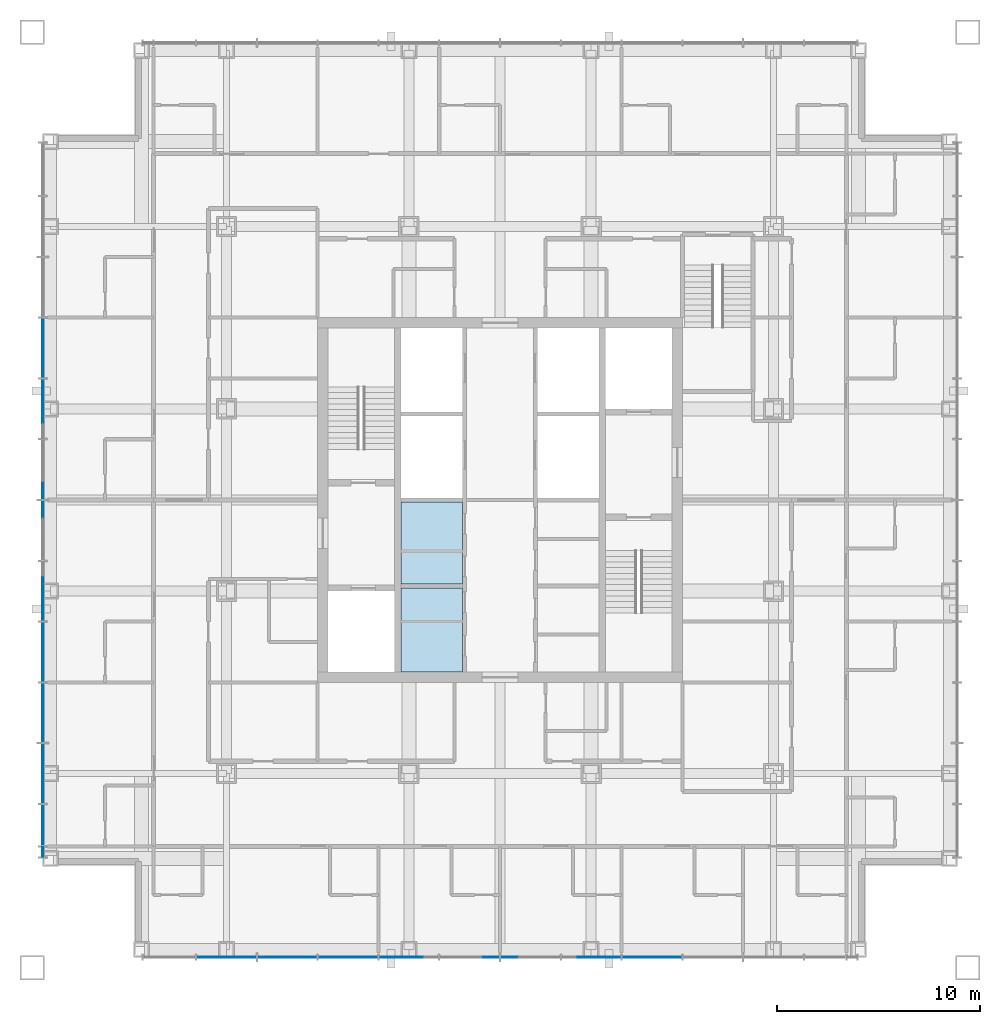
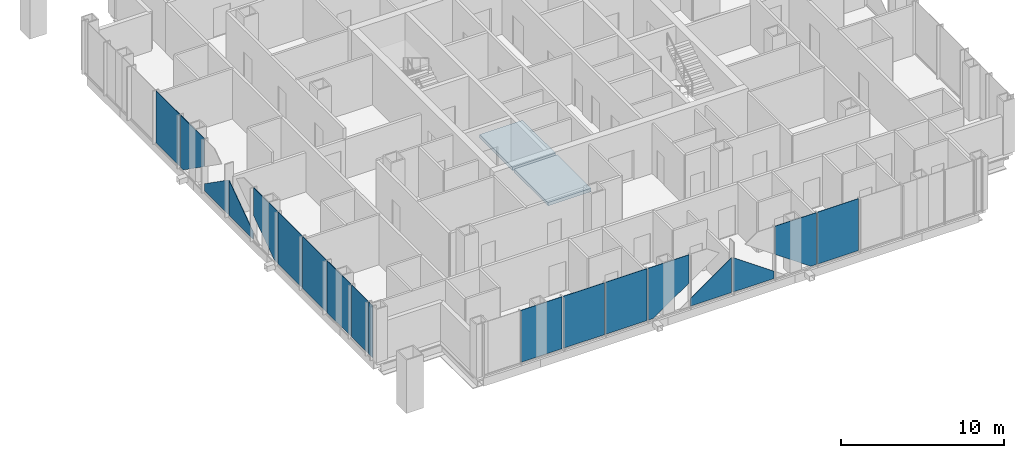
# One storey, part 7 of 17: 18 plates, 2 slabs, 2 elements without a shape of their own.
"""IFC4 building model written with IfcOpenShell, lengths in metres."""

from ifc_helpers import new_model, si_unit, direction, frame, origin, origin_2d, place, context, subcontext, project, spatial, polyline, rectangle, outline, extrude, material, layer, layer_set, type_object, element, aggregate, save


model = new_model("IFC4")

# Units and contexts
model_context = context("Model", 3, precision=1e-05, world=origin(), true_north=direction((0.0, 1.0)))
body_context = subcontext(model_context, "Body", "Model", "MODEL_VIEW")
ifc_project = project(units=[si_unit("LENGTHUNIT", "METRE"), si_unit("AREAUNIT", "SQUARE_METRE"), si_unit("VOLUMEUNIT", "CUBIC_METRE"), si_unit("PLANEANGLEUNIT", "RADIAN"), si_unit("MASSUNIT", "GRAM", prefix="KILO")], contexts=[model_context])

# Site, building, storey
site_placement = place(None, origin())
site = spatial("IfcSite", under=ifc_project, at=site_placement, CompositionType="ELEMENT")
building_placement = place(site_placement, origin())
building = spatial("IfcBuilding", under=site, at=building_placement, Name="Malebo Sky Hospital", CompositionType="ELEMENT")
storey_placement = place(building_placement, frame((0.0, 0.0, 189.0)))
storey = spatial("IfcBuildingStorey", under=building, at=storey_placement, Name="L45", CompositionType="ELEMENT", Elevation=189.0)

# Slabs
ifc_material_1 = material(Name="Concrete C40/50", Category="concrete")
ifc_layer_1 = layer(ifc_material_1, 0.25)
ifc_layer_set_1 = layer_set([ifc_layer_1], Name="SHAFT INFILL SLAB 250")
slab_type = type_object("IfcSlabType", Name="SHAFT INFILL SLAB 250", PredefinedType="FLOOR", material=ifc_layer_set_1)
slab_1_placement = place(storey_placement, frame((0.0, 0.0, -0.25)))
element("IfcSlab", 1, at=slab_1_placement, inside=storey, type_object=slab_type, Name="Shaft infill slab W1 L45", PredefinedType="FLOOR", context=body_context, shape_type="SweptSolid", body=[
    extrude(outline(polyline([(55.10009765625, 53.5), (58.14990234375, 53.5), (58.14990234375, 57.64990234375), (55.10009765625, 57.64990234375), (55.10009765625, 53.5)])), origin(), (0.0, 0.0, 1.0), 0.25),
])
slab_2_placement = place(storey_placement, frame((0.0, 0.0, -0.25)))
element("IfcSlab", 2, at=slab_2_placement, inside=storey, type_object=slab_type, Name="Shaft infill slab W2 L45", PredefinedType="FLOOR", context=body_context, shape_type="SweptSolid", body=[
    extrude(outline(polyline([(55.10009765625, 57.85009765625), (58.14990234375, 57.85009765625), (58.14990234375, 61.89990234375), (55.10009765625, 61.89990234375), (55.10009765625, 57.85009765625)])), origin(), (0.0, 0.0, 1.0), 0.25),
])

# Curtain wall, plates
ifc_material_2 = material(Name="Anodised aluminium, natural silver", Category="aluminium")
ifc_layer_2 = layer(ifc_material_2, 0.25)
ifc_layer_set_2 = layer_set([ifc_layer_2], Name="WARD CURTAIN WALL EAST AND WEST")
curtain_wall_type_1 = type_object("IfcCurtainWallType", Name="WARD CURTAIN WALL EAST AND WEST", PredefinedType="NOTDEFINED", material=ifc_layer_set_2)
curtain_wall_1_placement = place(storey_placement, origin())
curtain_wall_1 = element("IfcCurtainWall", 3, at=curtain_wall_1_placement, inside=storey, type_object=curtain_wall_type_1, Name="EW curtain wall W", PredefinedType="NOTDEFINED")
ifc_material_3 = material(Name="Clear low-iron double glazing", Category="glass")
ifc_layer_3 = layer(ifc_material_3, 0.031982421875)
ifc_layer_set_3 = layer_set([ifc_layer_3], Name="VISION PANEL CLEAR 32")
plate_type = type_object("IfcPlateType", Name="VISION PANEL CLEAR 32", PredefinedType="CURTAIN_PANEL", material=ifc_layer_set_3)
plate_1_placement = place(storey_placement, frame((37.425048828125, 44.61865234375, 0.10009765625), z_axis=(0.0, 0.0, 1.0), x_axis=(0.0, 1.0, 0.0)))
plate_1 = element("IfcPlate", 4, at=plate_1_placement, type_object=plate_type, Name="Panel 1", PredefinedType="CURTAIN_PANEL", context=body_context, shape_type="SweptSolid", body=[
    extrude(rectangle(XDim=0.487548828125, YDim=0.031982421875, at=origin_2d()), origin(), (0.0, 0.0, 1.0), 3.889892578125),
])
plate_2_placement = place(storey_placement, frame((37.425048828125, 45.949951171875, 0.10009765625), z_axis=(0.0, 0.0, 1.0), x_axis=(0.0, 1.0, 0.0)))
plate_2 = element("IfcPlate", 5, at=plate_2_placement, type_object=plate_type, Name="Panel 2", PredefinedType="CURTAIN_PANEL", context=body_context, shape_type="SweptSolid", body=[
    extrude(rectangle(XDim=2.02490234375, YDim=0.031982421875, at=origin_2d()), origin(), (0.0, 0.0, 1.0), 3.889892578125),
])
plate_3_placement = place(storey_placement, frame((37.425048828125, 48.5, 0.10009765625), z_axis=(0.0, 0.0, 1.0), x_axis=(0.0, 1.0, 0.0)))
plate_3 = element("IfcPlate", 6, at=plate_3_placement, type_object=plate_type, Name="Panel 3", PredefinedType="CURTAIN_PANEL", context=body_context, shape_type="SweptSolid", body=[
    extrude(rectangle(XDim=2.925048828125, YDim=0.031982421875, at=origin_2d()), origin(), (0.0, 0.0, 1.0), 3.889892578125),
])
plate_4_placement = place(storey_placement, frame((37.425048828125, 51.5, 0.10009765625), z_axis=(0.0, 0.0, 1.0), x_axis=(0.0, 1.0, 0.0)))
plate_4 = element("IfcPlate", 7, at=plate_4_placement, type_object=plate_type, Name="Panel 4", PredefinedType="CURTAIN_PANEL", context=body_context, shape_type="SweptSolid", body=[
    extrude(rectangle(XDim=2.925048828125, YDim=0.031982421875, at=origin_2d()), origin(), (0.0, 0.0, 1.0), 3.889892578125),
])
plate_5_placement = place(storey_placement, frame((37.425048828125, 54.5, 0.10009765625), z_axis=(0.0, 0.0, 1.0), x_axis=(0.0, 1.0, 0.0)))
plate_5 = element("IfcPlate", 8, at=plate_5_placement, type_object=plate_type, Name="Panel 5", PredefinedType="CURTAIN_PANEL", context=body_context, shape_type="SweptSolid", body=[
    extrude(rectangle(XDim=2.925048828125, YDim=0.031982421875, at=origin_2d()), origin(), (0.0, 0.0, 1.0), 3.889892578125),
])
plate_6_placement = place(storey_placement, frame((37.425048828125, 57.5, 0.10009765625), z_axis=(0.0, 0.0, 1.0), x_axis=(0.0, 1.0, 0.0)))
plate_6 = element("IfcPlate", 9, at=plate_6_placement, type_object=plate_type, Name="Panel 6", PredefinedType="CURTAIN_PANEL", context=body_context, shape_type="SweptSolid", body=[
    extrude(outline(polyline([(-1.46240234375, 0.0), (-1.076904296875, 0.0), (1.46240234375, 1.78369140625), (1.46240234375, 3.889892578125), (-1.46240234375, 3.889892578125), (-1.46240234375, 0.0)])), frame((0.0, 0.01611328125, 0.0), z_axis=(0.0, -1.0, 0.0), x_axis=(1.0, 0.0, 0.0)), (0.0, 0.0, 1.0), 0.031982421875),
])
plate_7_placement = place(storey_placement, frame((37.425048828125, 60.5, 0.10009765625), z_axis=(0.0, 0.0, 1.0), x_axis=(0.0, 1.0, 0.0)))
plate_7 = element("IfcPlate", 10, at=plate_7_placement, type_object=plate_type, Name="Panel 7", PredefinedType="CURTAIN_PANEL", context=body_context, shape_type="SweptSolid", body=[
    extrude(outline(polyline([(-1.46240234375, 0.0), (1.46240234375, 0.0), (1.46240234375, 2.6064453125), (-1.46240234375, 0.552001953125), (-1.46240234375, 0.0)])), frame((0.0, 0.01611328125, 0.0), z_axis=(0.0, -1.0, 0.0), x_axis=(1.0, 0.0, 0.0)), (0.0, 0.0, 1.0), 0.031982421875),
])
plate_8_placement = place(storey_placement, frame((37.425048828125, 63.5, 0.10009765625), z_axis=(0.0, 0.0, 1.0), x_axis=(0.0, 1.0, 0.0)))
plate_8 = element("IfcPlate", 11, at=plate_8_placement, type_object=plate_type, Name="Panel 8", PredefinedType="CURTAIN_PANEL", context=body_context, shape_type="SweptSolid", body=[
    extrude(outline(polyline([(-1.46240234375, 0.0), (1.46240234375, 0.0), (1.46240234375, 0.552001953125), (-1.46240234375, 2.6064453125), (-1.46240234375, 0.0)])), frame((0.0, 0.01611328125, 0.0), z_axis=(0.0, -1.0, 0.0), x_axis=(1.0, 0.0, 0.0)), (0.0, 0.0, 1.0), 0.031982421875),
])
plate_9_placement = place(storey_placement, frame((37.425048828125, 66.5, 0.10009765625), z_axis=(0.0, 0.0, 1.0), x_axis=(0.0, 1.0, 0.0)))
plate_9 = element("IfcPlate", 12, at=plate_9_placement, type_object=plate_type, Name="Panel 9", PredefinedType="CURTAIN_PANEL", context=body_context, shape_type="SweptSolid", body=[
    extrude(outline(polyline([(1.076904296875, 0.0), (1.46240234375, 0.0), (1.46240234375, 3.889892578125), (-1.46240234375, 3.889892578125), (-1.46240234375, 1.78369140625), (1.076904296875, 0.0)])), frame((0.0, 0.01611328125, 0.0), z_axis=(0.0, -1.0, 0.0), x_axis=(1.0, 0.0, 0.0)), (0.0, 0.0, 1.0), 0.031982421875),
])
plate_10_placement = place(storey_placement, frame((37.425048828125, 69.5, 0.10009765625), z_axis=(0.0, 0.0, 1.0), x_axis=(0.0, 1.0, 0.0)))
plate_10 = element("IfcPlate", 13, at=plate_10_placement, type_object=plate_type, Name="Panel 10", PredefinedType="CURTAIN_PANEL", context=body_context, shape_type="SweptSolid", body=[
    extrude(rectangle(XDim=2.925048828125, YDim=0.031982421875, at=origin_2d()), origin(), (0.0, 0.0, 1.0), 3.889892578125),
])
aggregate(curtain_wall_1, [plate_1, plate_2, plate_3, plate_4, plate_5, plate_6, plate_7, plate_8, plate_9, plate_10])

ifc_layer_4 = layer(ifc_material_2, 0.25)
ifc_layer_set_4 = layer_set([ifc_layer_4], Name="WARD CURTAIN WALL NORTH AND SOUTH")
curtain_wall_type_2 = type_object("IfcCurtainWallType", Name="WARD CURTAIN WALL NORTH AND SOUTH", PredefinedType="NOTDEFINED", material=ifc_layer_set_4)
curtain_wall_2_placement = place(storey_placement, origin())
curtain_wall_2 = element("IfcCurtainWall", 14, at=curtain_wall_2_placement, inside=storey, type_object=curtain_wall_type_2, Name="NS curtain wall S", PredefinedType="NOTDEFINED")
plate_11_placement = place(storey_placement, frame((67.5, 39.425048828125, 0.10009765625), z_axis=(0.0, 0.0, 1.0), x_axis=(-1.0, 0.0, 0.0)))
plate_11 = element("IfcPlate", 15, at=plate_11_placement, type_object=plate_type, Name="Panel 5", PredefinedType="CURTAIN_PANEL", context=body_context, shape_type="SweptSolid", body=[
    extrude(rectangle(XDim=2.925048828125, YDim=0.031982421875, at=origin_2d()), origin(), (0.0, 0.0, 1.0), 3.889892578125),
])
plate_12_placement = place(storey_placement, frame((64.5, 39.425048828125, 0.10009765625), z_axis=(0.0, 0.0, 1.0), x_axis=(-1.0, 0.0, 0.0)))
plate_12 = element("IfcPlate", 16, at=plate_12_placement, type_object=plate_type, Name="Panel 6", PredefinedType="CURTAIN_PANEL", context=body_context, shape_type="SweptSolid", body=[
    extrude(outline(polyline([(-1.46240234375, 0.0), (-1.076904296875, 0.0), (1.46240234375, 1.78369140625), (1.46240234375, 3.889892578125), (-1.46240234375, 3.889892578125), (-1.46240234375, 0.0)])), frame((0.0, 0.01611328125, 0.0), z_axis=(0.0, -1.0, 0.0), x_axis=(1.0, 0.0, 0.0)), (0.0, 0.0, 1.0), 0.031982421875),
])
plate_13_placement = place(storey_placement, frame((61.5, 39.425048828125, 0.10009765625), z_axis=(0.0, 0.0, 1.0), x_axis=(-1.0, 0.0, 0.0)))
plate_13 = element("IfcPlate", 17, at=plate_13_placement, type_object=plate_type, Name="Panel 7", PredefinedType="CURTAIN_PANEL", context=body_context, shape_type="SweptSolid", body=[
    extrude(outline(polyline([(-1.46240234375, 0.0), (1.46240234375, 0.0), (1.46240234375, 2.6064453125), (-1.46240234375, 0.552001953125), (-1.46240234375, 0.0)])), frame((0.0, 0.01611328125, 0.0), z_axis=(0.0, -1.0, 0.0), x_axis=(1.0, 0.0, 0.0)), (0.0, 0.0, 1.0), 0.031982421875),
])
plate_14_placement = place(storey_placement, frame((58.5, 39.425048828125, 0.10009765625), z_axis=(0.0, 0.0, 1.0), x_axis=(-1.0, 0.0, 0.0)))
plate_14 = element("IfcPlate", 18, at=plate_14_placement, type_object=plate_type, Name="Panel 8", PredefinedType="CURTAIN_PANEL", context=body_context, shape_type="SweptSolid", body=[
    extrude(outline(polyline([(-1.46240234375, 0.0), (1.46240234375, 0.0), (1.46240234375, 0.552001953125), (-1.46240234375, 2.6064453125), (-1.46240234375, 0.0)])), frame((0.0, 0.01611328125, 0.0), z_axis=(0.0, -1.0, 0.0), x_axis=(1.0, 0.0, 0.0)), (0.0, 0.0, 1.0), 0.031982421875),
])
plate_15_placement = place(storey_placement, frame((55.5, 39.425048828125, 0.10009765625), z_axis=(0.0, 0.0, 1.0), x_axis=(-1.0, 0.0, 0.0)))
plate_15 = element("IfcPlate", 19, at=plate_15_placement, type_object=plate_type, Name="Panel 9", PredefinedType="CURTAIN_PANEL", context=body_context, shape_type="SweptSolid", body=[
    extrude(outline(polyline([(1.076904296875, 0.0), (1.46240234375, 0.0), (1.46240234375, 3.889892578125), (-1.46240234375, 3.889892578125), (-1.46240234375, 1.78369140625), (1.076904296875, 0.0)])), frame((0.0, 0.01611328125, 0.0), z_axis=(0.0, -1.0, 0.0), x_axis=(1.0, 0.0, 0.0)), (0.0, 0.0, 1.0), 0.031982421875),
])
plate_16_placement = place(storey_placement, frame((52.5, 39.425048828125, 0.10009765625), z_axis=(0.0, 0.0, 1.0), x_axis=(-1.0, 0.0, 0.0)))
plate_16 = element("IfcPlate", 20, at=plate_16_placement, type_object=plate_type, Name="Panel 10", PredefinedType="CURTAIN_PANEL", context=body_context, shape_type="SweptSolid", body=[
    extrude(rectangle(XDim=2.925048828125, YDim=0.031982421875, at=origin_2d()), origin(), (0.0, 0.0, 1.0), 3.889892578125),
])
plate_17_placement = place(storey_placement, frame((49.5, 39.425048828125, 0.10009765625), z_axis=(0.0, 0.0, 1.0), x_axis=(-1.0, 0.0, 0.0)))
plate_17 = element("IfcPlate", 21, at=plate_17_placement, type_object=plate_type, Name="Panel 11", PredefinedType="CURTAIN_PANEL", context=body_context, shape_type="SweptSolid", body=[
    extrude(rectangle(XDim=2.925048828125, YDim=0.031982421875, at=origin_2d()), origin(), (0.0, 0.0, 1.0), 3.889892578125),
])
plate_18_placement = place(storey_placement, frame((46.5, 39.425048828125, 0.10009765625), z_axis=(0.0, 0.0, 1.0), x_axis=(-1.0, 0.0, 0.0)))
plate_18 = element("IfcPlate", 22, at=plate_18_placement, type_object=plate_type, Name="Panel 12", PredefinedType="CURTAIN_PANEL", context=body_context, shape_type="SweptSolid", body=[
    extrude(rectangle(XDim=2.925048828125, YDim=0.031982421875, at=origin_2d()), origin(), (0.0, 0.0, 1.0), 3.889892578125),
])
aggregate(curtain_wall_2, [plate_11, plate_12, plate_13, plate_14, plate_15, plate_16, plate_17, plate_18])

save(model, "model.ifc")
